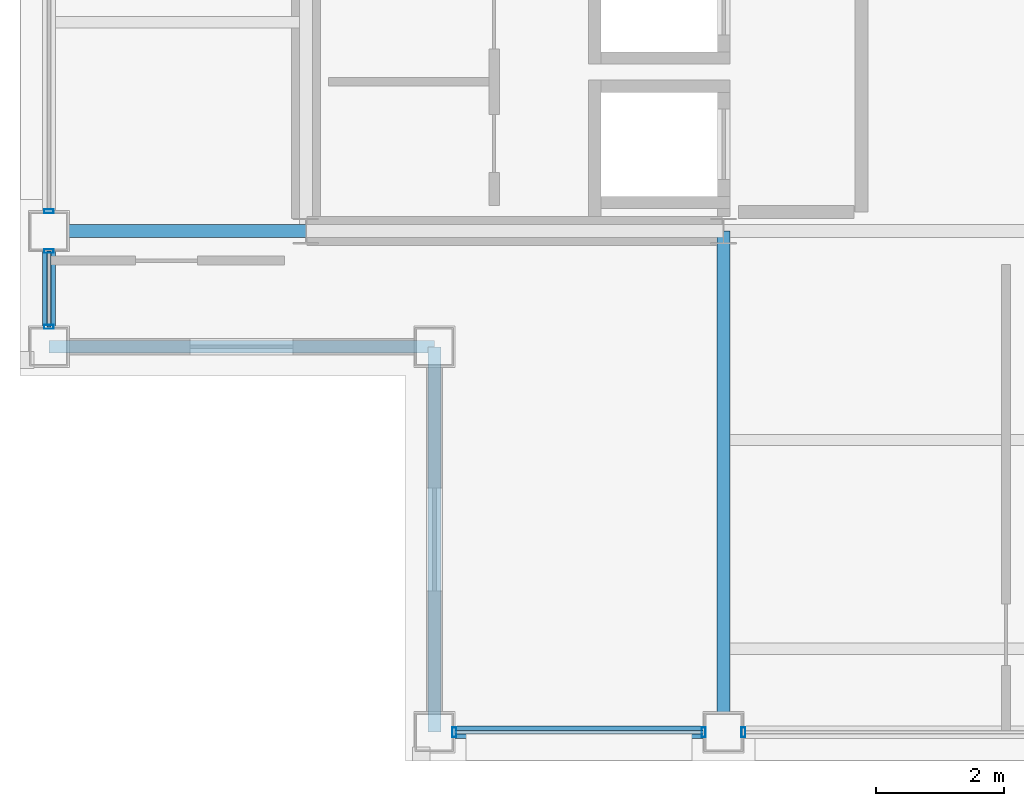
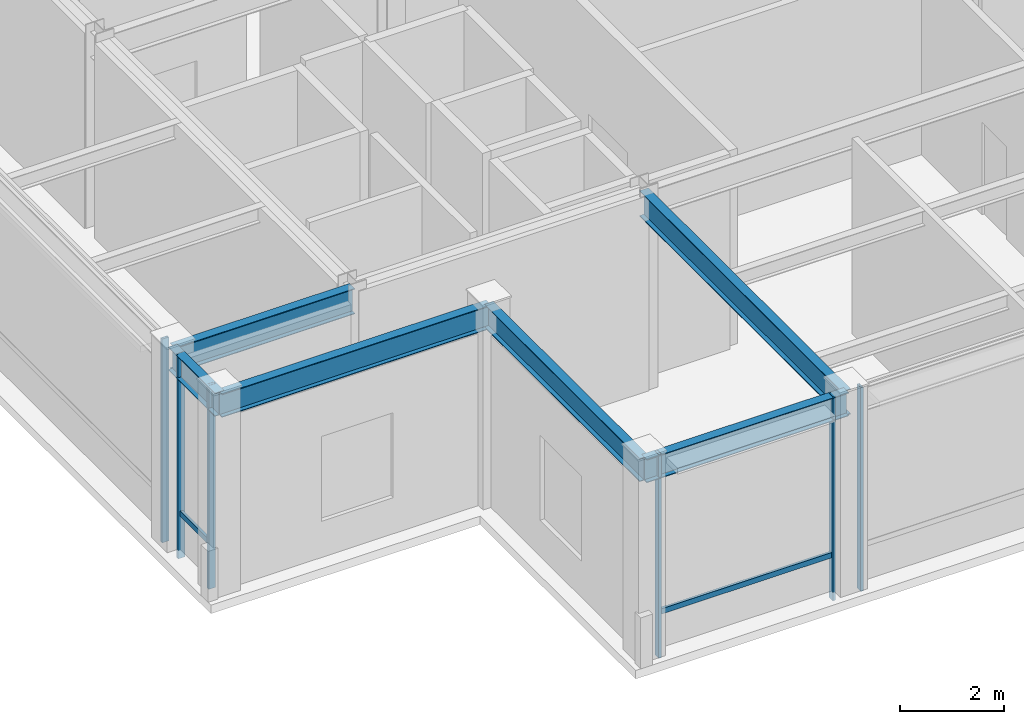
# One storey, part 2 of 21: 8 members, 6 beams, 4 elements without a shape of their own.
"""IFC4 building model written with IfcOpenShell, lengths in metres."""

import ifcopenshell
import ifcopenshell.guid

model = None  # the IFC model being written
_history = None  # IfcOwnerHistory: only IFC2X3 demands one
_inside = {}  # id of a spatial element -> (the spatial element, [elements in it])
_under = {}  # id of a project, library or spatial element -> (it, [spatial elements below it])
_declared = {}  # id of a project -> (the project, [libraries it declares])
_typed = {}  # id of a type object -> (the type object, [elements of that type])
_made_of = {}  # id of a material, layer set ... -> (it, [elements and type objects made of it])


def new_model(schema):
    """Start an empty IFC model of exactly this schema.

    Asked for "IFC4X3", IfcOpenShell would pick the latest addendum, in which some entities
    have other attributes; the version numbers below select the first issue.
    IFC2X3 requires an IfcOwnerHistory on every rooted entity: one is made here for all.
    """
    global model, _history
    if schema == "IFC4X3":
        model = ifcopenshell.file(schema_version=(4, 3, 0, 0))
    else:
        model = ifcopenshell.file(schema=schema)
    _inside.clear()
    _under.clear()
    _declared.clear()
    _typed.clear()
    _made_of.clear()
    _history = None
    if model.schema == "IFC2X3":
        org = make("IfcOrganization", Name="unknown")
        user = make(
            "IfcPersonAndOrganization",
            ThePerson=make("IfcPerson", FamilyName="unknown"),
            TheOrganization=org,
        )
        app = make(
            "IfcApplication",
            ApplicationDeveloper=org,
            Version="unknown",
            ApplicationFullName="unknown",
            ApplicationIdentifier="unknown",
        )
        _history = make(
            "IfcOwnerHistory",
            OwningUser=user,
            OwningApplication=app,
            ChangeAction="ADDED",
            CreationDate=0,
        )
    return model


def make(cls, **values):
    """One entity of the class cls with the attributes given. An attribute that is None is left unset."""
    return model.create_entity(
        cls, **{name: value for name, value in values.items() if value is not None}
    )


def rooted(cls, **values):
    """An entity with a GlobalId (a new one), such as an element, a storey or a relation."""
    return make(cls, GlobalId=ifcopenshell.guid.new(), OwnerHistory=_history, **values)


def si_unit(unit_type, name, prefix=None):
    """IfcSIUnit, for example si_unit("LENGTHUNIT", "METRE", prefix="MILLI")."""
    return make("IfcSIUnit", UnitType=unit_type, Prefix=prefix, Name=name)


def assignment(units):
    """IfcUnitAssignment: the units of a project."""
    return None if units is None else make("IfcUnitAssignment", Units=units)


def point(xyz):
    """IfcCartesianPoint."""
    return None if xyz is None else make("IfcCartesianPoint", Coordinates=xyz)


def direction(xyz):
    """IfcDirection."""
    return None if xyz is None else make("IfcDirection", DirectionRatios=xyz)


def frame(location, z_axis=None, x_axis=None):
    """IfcAxis2Placement3D, a coordinate frame: its origin and axes. An axis left out is left unset."""
    return make(
        "IfcAxis2Placement3D",
        Location=point(location),
        Axis=direction(z_axis),
        RefDirection=direction(x_axis),
    )


def frame_2d(location, x_axis=None):
    """IfcAxis2Placement2D, a coordinate frame in the plane: its origin and x axis."""
    return make(
        "IfcAxis2Placement2D", Location=point(location), RefDirection=direction(x_axis)
    )


def origin():
    """The frame at (0, 0, 0) with its axes left unset."""
    return frame((0.0, 0.0, 0.0))


def origin_2d():
    """The frame at (0, 0) in the plane with its x axis left unset."""
    return frame_2d((0.0, 0.0))


def place(relative_to, where):
    """IfcLocalPlacement: puts the frame where relative to a parent placement (None: the world)."""
    return make(
        "IfcLocalPlacement", PlacementRelTo=relative_to, RelativePlacement=where
    )


def context(
    kind, dimensions, precision=None, world=None, true_north=None, identifier=None
):
    """IfcGeometricRepresentationContext, for example the 3D "Model" context."""
    return make(
        "IfcGeometricRepresentationContext",
        ContextIdentifier=identifier,
        ContextType=kind,
        CoordinateSpaceDimension=dimensions,
        Precision=precision,
        WorldCoordinateSystem=world,
        TrueNorth=true_north,
    )


def subcontext(parent, identifier, kind, view, scale=None):
    """IfcGeometricRepresentationSubContext, for example "Body" below "Model"."""
    return make(
        "IfcGeometricRepresentationSubContext",
        ContextIdentifier=identifier,
        ContextType=kind,
        ParentContext=parent,
        TargetScale=scale,
        TargetView=view,
    )


def project(units=None, contexts=None):
    """IfcProject with its units and contexts."""
    return rooted(
        "IfcProject",
        Name="project",
        RepresentationContexts=contexts,
        UnitsInContext=assignment(units),
    )


def spatial(cls, under=None, at=None, **own):
    """A site, building, storey or space (cls), placed at a placement, below another one or the project."""
    s = rooted(cls, ObjectPlacement=at, **own)
    if under is not None:
        _under.setdefault(under.id(), (under, []))[1].append(s)
    return s


def profile(cls, at=None, kind="AREA", **sizes):
    """A parametric profile (cls). Its sizes go by their IFC names, for example OverallWidth=200.0."""
    return make(cls, ProfileType=kind, Position=at, **sizes)


def hollow_rectangle(**sizes):
    """IfcRectangleHollowProfileDef."""
    return profile("IfcRectangleHollowProfileDef", **sizes)


def i_section(**sizes):
    """IfcIShapeProfileDef."""
    return profile("IfcIShapeProfileDef", **sizes)


def extrude(swept, where, along, depth):
    """IfcExtrudedAreaSolid: the profile swept, set in the frame where, extruded along a direction by depth."""
    return make(
        "IfcExtrudedAreaSolid",
        SweptArea=swept,
        Position=where,
        ExtrudedDirection=direction(along),
        Depth=depth,
    )


def shape(context_of_items, identifier, shape_type, items):
    """IfcShapeRepresentation: the items that make up one representation, for example the "Body"."""
    return make(
        "IfcShapeRepresentation",
        ContextOfItems=context_of_items,
        RepresentationIdentifier=identifier,
        RepresentationType=shape_type,
        Items=items,
    )


def material(Name=None, Category=None):
    """IfcMaterial."""
    return make("IfcMaterial", Name=Name, Category=Category)


def layer(
    of_material, thickness, ventilated=None, Name=None, Category=None, Priority=None
):
    """IfcMaterialLayer: one layer of a wall or slab, of a material (None: an air gap)."""
    return make(
        "IfcMaterialLayer",
        Material=of_material,
        LayerThickness=thickness,
        IsVentilated=ventilated,
        Name=Name,
        Category=Category,
        Priority=Priority,
    )


def layer_set(layers, Name=None):
    """IfcMaterialLayerSet."""
    return make("IfcMaterialLayerSet", MaterialLayers=layers, LayerSetName=Name)


def material_profile(
    of_material, cross_section, Name=None, Category=None, Priority=None
):
    """IfcMaterialProfile: a cross section and its material."""
    return make(
        "IfcMaterialProfile",
        Name=Name,
        Material=of_material,
        Profile=cross_section,
        Priority=Priority,
        Category=Category,
    )


def profile_set(profiles, Name=None, composite=None):
    """IfcMaterialProfileSet."""
    return make(
        "IfcMaterialProfileSet",
        Name=Name,
        MaterialProfiles=profiles,
        CompositeProfile=composite,
    )


def made_of(thing, what):
    """Note that an element or type object is made of a material, layer set ...; save() writes the relation."""
    if what is not None:
        _made_of.setdefault(what.id(), (what, []))[1].append(thing)
    return thing


def type_object(cls, material=None, **own):
    """A type object (cls), such as IfcWallType, which elements share."""
    return made_of(rooted(cls, **own), material)


def element(
    cls,
    number,
    at=None,
    inside=None,
    cuts=None,
    type_object=None,
    material=None,
    context=None,
    identifier="Body",
    shape_type=None,
    held_by="IfcProductDefinitionShape",
    body=None,
    shapes=None,
    **own,
):
    """One element of the class cls, such as IfcWall. Its Tag is "e" and its number.

    at: its placement. inside: the storey or other place that contains it. cuts: it is an
    opening in that element (IfcRelVoidsElement). A single representation is given by context,
    identifier, shape_type and body (its items); several are given by shapes. held_by: the class
    of the entity that holds the representations. save() writes the other relations.
    """
    e = rooted(cls, Tag="e%d" % number, ObjectPlacement=at, **own)
    if body is not None:
        shapes = [shape(context, identifier, shape_type, body)]
    if shapes is not None:
        e.Representation = make(held_by, Representations=shapes)
    if inside is not None:
        _inside.setdefault(inside.id(), (inside, []))[1].append(e)
    if cuts is not None:
        rooted(
            "IfcRelVoidsElement", RelatingBuildingElement=cuts, RelatedOpeningElement=e
        )
    if type_object is not None:
        _typed.setdefault(type_object.id(), (type_object, []))[1].append(e)
    return made_of(e, material)


def aggregate(whole, parts):
    """IfcRelAggregates: a whole, such as a stair, and the parts it consists of."""
    return rooted("IfcRelAggregates", RelatingObject=whole, RelatedObjects=parts)


def save(model, path):
    """Write the relations noted so far, then the file.

    IfcRelAggregates (storeys below a building ...), IfcRelContainedInSpatialStructure (elements
    in a storey), IfcRelDefinesByType, IfcRelAssociatesMaterial and IfcRelDeclares: one each for
    every whole, place, type object, material and project.
    """
    for whole, parts in _under.values():
        aggregate(whole, parts)
    for where, things in _inside.values():
        rooted(
            "IfcRelContainedInSpatialStructure",
            RelatedElements=things,
            RelatingStructure=where,
        )
    for kind, things in _typed.values():
        rooted("IfcRelDefinesByType", RelatedObjects=things, RelatingType=kind)
    for what, things in _made_of.values():
        rooted("IfcRelAssociatesMaterial", RelatedObjects=things, RelatingMaterial=what)
    for by, libraries in _declared.values():
        rooted("IfcRelDeclares", RelatingContext=by, RelatedDefinitions=libraries)
    model.write(path)


model = new_model("IFC4")

# Units and contexts
model_context = context("Model", 3, precision=1e-05, world=origin(), true_north=direction((0.0, 1.0)))
body_context = subcontext(model_context, "Body", "Model", "MODEL_VIEW")
ifc_project = project(units=[si_unit("LENGTHUNIT", "METRE"), si_unit("AREAUNIT", "SQUARE_METRE"), si_unit("VOLUMEUNIT", "CUBIC_METRE"), si_unit("PLANEANGLEUNIT", "RADIAN"), si_unit("MASSUNIT", "GRAM", prefix="KILO")], contexts=[model_context])

# Site, building, storey
site_placement = place(None, origin())
site = spatial("IfcSite", under=ifc_project, at=site_placement, CompositionType="ELEMENT")
building_placement = place(site_placement, origin())
building = spatial("IfcBuilding", under=site, at=building_placement, Name="Brelmoor Portico Tower", CompositionType="ELEMENT")
storey_placement = place(building_placement, frame((0.0, 0.0, 284.39990234375)))
storey = spatial("IfcBuildingStorey", under=building, at=storey_placement, Name="L75", CompositionType="ELEMENT", Elevation=284.39990234375)

# Beams
ifc_material_1 = material(Name="Steel Q355B", Category="steel")
ifc_material_profile_1 = material_profile(ifc_material_1, i_section(OverallWidth=0.199951171875, OverallDepth=0.60009765625, WebThickness=0.010986328125, FlangeThickness=0.01708984375, at=origin_2d()), Name="HN 600x200x11x17")
ifc_profile_set_1 = profile_set([ifc_material_profile_1], Name="Steel Q355B")
beam_type_1 = type_object("IfcBeamType", Name="BM-PG-600", PredefinedType="BEAM", material=ifc_profile_set_1)
beam_1_placement = place(storey_placement, frame((-8.050048828125, -17.550048828125, 4.300048828125), z_axis=(0.0, 1.0, 0.0), x_axis=(-1.0, 0.0, 0.0)))
element("IfcBeam", 1, at=beam_1_placement, inside=storey, type_object=beam_type_1, Name="L75 Primary Floor Girder PG-03", PredefinedType="BEAM", context=body_context, shape_type="SweptSolid", body=[
    extrude(i_section(OverallWidth=0.199951171875, OverallDepth=0.60009765625, WebThickness=0.010986328125, FlangeThickness=0.01708984375, at=origin_2d()), origin(), (0.0, 0.0, 1.0), 7.800048828125),
])
beam_2_placement = place(storey_placement, frame((-18.550048828125, -9.75, 4.300048828125), z_axis=(1.0, 0.0, 0.0), x_axis=(0.0, 1.0, 0.0)))
element("IfcBeam", 2, at=beam_2_placement, inside=storey, type_object=beam_type_1, Name="L75 Primary Floor Girder PG-11", PredefinedType="BEAM", context=body_context, shape_type="SweptSolid", body=[
    extrude(i_section(OverallWidth=0.199951171875, OverallDepth=0.60009765625, WebThickness=0.010986328125, FlangeThickness=0.01708984375, at=origin_2d()), origin(), (0.0, 0.0, 1.0), 4.0),
])
ifc_material_profile_2 = material_profile(ifc_material_1, i_section(OverallWidth=0.199951171875, OverallDepth=0.550048828125, WebThickness=0.010009765625, FlangeThickness=0.01611328125, at=origin_2d()), Name="HN 550x200x10x16")
ifc_profile_set_2 = profile_set([ifc_material_profile_2], Name="Steel Q355B")
beam_type_2 = type_object("IfcBeamType", Name="BM-SP-550", PredefinedType="SPANDREL", material=ifc_profile_set_2)
beam_3_placement = place(storey_placement, frame((-12.550048828125, -17.550048828125, 4.3251953125), z_axis=(1.0, 0.0, 0.0), x_axis=(0.0, 1.0, 0.0)))
element("IfcBeam", 3, at=beam_3_placement, inside=storey, type_object=beam_type_2, Name="L75 Perimeter Spandrel Beam SP-01", PredefinedType="SPANDREL", context=body_context, shape_type="SweptSolid", body=[
    extrude(i_section(OverallWidth=0.199951171875, OverallDepth=0.550048828125, WebThickness=0.010009765625, FlangeThickness=0.01611328125, at=origin_2d()), origin(), (0.0, 0.0, 1.0), 4.5),
])
beam_4_placement = place(storey_placement, frame((-18.550048828125, -11.550048828125, 4.3251953125), z_axis=(1.0, 0.0, 0.0), x_axis=(0.0, 1.0, 0.0)))
element("IfcBeam", 4, at=beam_4_placement, inside=storey, type_object=beam_type_2, Name="L75 Perimeter Spandrel Beam SP-04", PredefinedType="SPANDREL", context=body_context, shape_type="SweptSolid", body=[
    extrude(i_section(OverallWidth=0.199951171875, OverallDepth=0.550048828125, WebThickness=0.010009765625, FlangeThickness=0.01611328125, at=origin_2d()), origin(), (0.0, 0.0, 1.0), 6.0),
])
beam_5_placement = place(storey_placement, frame((-18.550048828125, -11.550048828125, 4.3251953125), z_axis=(0.0, 1.0, 0.0), x_axis=(-1.0, 0.0, 0.0)))
element("IfcBeam", 5, at=beam_5_placement, inside=storey, type_object=beam_type_2, Name="L75 Perimeter Spandrel Beam SP-11", PredefinedType="SPANDREL", context=body_context, shape_type="SweptSolid", body=[
    extrude(i_section(OverallWidth=0.199951171875, OverallDepth=0.550048828125, WebThickness=0.010009765625, FlangeThickness=0.01611328125, at=origin_2d()), origin(), (0.0, 0.0, 1.0), 1.800048828125),
])
beam_6_placement = place(storey_placement, frame((-12.550048828125, -17.550048828125, 4.3251953125), z_axis=(0.0, 1.0, 0.0), x_axis=(-1.0, 0.0, 0.0)))
element("IfcBeam", 6, at=beam_6_placement, inside=storey, type_object=beam_type_2, Name="L75 Perimeter Spandrel Beam SP-14", PredefinedType="SPANDREL", context=body_context, shape_type="SweptSolid", body=[
    extrude(i_section(OverallWidth=0.199951171875, OverallDepth=0.550048828125, WebThickness=0.010009765625, FlangeThickness=0.01611328125, at=origin_2d()), origin(), (0.0, 0.0, 1.0), 6.0),
])

# Curtain wall, members
ifc_material_2 = material(Name="Anodised Aluminium Alloy 6063-T6", Category="aluminium")
ifc_layer = layer(ifc_material_2, 0.179931640625)
ifc_layer_set = layer_set([ifc_layer], Name="Anodised Aluminium Alloy 6063-T6")
curtain_wall_type = type_object("IfcCurtainWallType", Name="CW-TOWER-Z4", PredefinedType="NOTDEFINED", material=ifc_layer_set)
curtain_wall_1_placement = place(storey_placement, origin())
curtain_wall_1 = element("IfcCurtainWall", 7, at=curtain_wall_1_placement, inside=storey, type_object=curtain_wall_type, Name="L75 Curtain Wall CW-L75-01-1", PredefinedType="NOTDEFINED")
ifc_material_profile_3 = material_profile(ifc_material_2, hollow_rectangle(XDim=0.06005859375, YDim=0.14990234375, WallThickness=0.00390625, at=origin_2d()), Name="ALU MULLION 60x150")
ifc_profile_set_3 = profile_set([ifc_material_profile_3], Name="Anodised Aluminium Alloy 6063-T6")
member_type_1 = type_object("IfcMemberType", Name="MB-CW-MULL-150", PredefinedType="MULLION", material=ifc_profile_set_3)
member_1_placement = place(storey_placement, frame((-12.239990234375, -17.550048828125, -0.199951171875), z_axis=(0.0, 0.0, 1.0), x_axis=(1.0, 0.0, 0.0)))
member_1 = element("IfcMember", 8, at=member_1_placement, type_object=member_type_1, Name="CW-L75-01-1 Mullion 00", PredefinedType="MULLION", context=body_context, shape_type="SweptSolid", body=[
    extrude(hollow_rectangle(XDim=0.06005859375, YDim=0.14990234375, WallThickness=0.00390625, at=origin_2d()), origin(), (0.0, 0.0, 1.0), 4.800048828125),
])
member_2_placement = place(storey_placement, frame((-8.360107421875, -17.550048828125, -0.199951171875), z_axis=(0.0, 0.0, 1.0), x_axis=(1.0, 0.0, 0.0)))
member_2 = element("IfcMember", 9, at=member_2_placement, type_object=member_type_1, Name="CW-L75-01-1 Mullion 01", PredefinedType="MULLION", context=body_context, shape_type="SweptSolid", body=[
    extrude(hollow_rectangle(XDim=0.06005859375, YDim=0.14990234375, WallThickness=0.00390625, at=origin_2d()), origin(), (0.0, 0.0, 1.0), 4.800048828125),
])

# Curtain wall, member
curtain_wall_2_placement = place(storey_placement, origin())
curtain_wall_2 = element("IfcCurtainWall", 10, at=curtain_wall_2_placement, inside=storey, type_object=curtain_wall_type, Name="L75 Curtain Wall CW-L75-01-2", PredefinedType="NOTDEFINED")
member_3_placement = place(storey_placement, frame((-7.739990234375, -17.550048828125, -0.199951171875), z_axis=(0.0, 0.0, 1.0), x_axis=(1.0, 0.0, 0.0)))
member_3 = element("IfcMember", 11, at=member_3_placement, type_object=member_type_1, Name="CW-L75-01-2 Mullion 00", PredefinedType="MULLION", context=body_context, shape_type="SweptSolid", body=[
    extrude(hollow_rectangle(XDim=0.06005859375, YDim=0.14990234375, WallThickness=0.00390625, at=origin_2d()), origin(), (0.0, 0.0, 1.0), 4.800048828125),
])
aggregate(curtain_wall_2, [member_3])

# Curtain wall, members
curtain_wall_3_placement = place(storey_placement, origin())
curtain_wall_3 = element("IfcCurtainWall", 12, at=curtain_wall_3_placement, inside=storey, type_object=curtain_wall_type, Name="L75 Curtain Wall CW-L75-03-1", PredefinedType="NOTDEFINED")
member_4_placement = place(storey_placement, frame((-18.550048828125, -11.239990234375, -0.199951171875), z_axis=(0.0, 0.0, 1.0), x_axis=(0.0, 1.0, 0.0)))
member_4 = element("IfcMember", 13, at=member_4_placement, type_object=member_type_1, Name="CW-L75-03-1 Mullion 00", PredefinedType="MULLION", context=body_context, shape_type="SweptSolid", body=[
    extrude(hollow_rectangle(XDim=0.06005859375, YDim=0.14990234375, WallThickness=0.00390625, at=origin_2d()), origin(), (0.0, 0.0, 1.0), 4.800048828125),
])
member_5_placement = place(storey_placement, frame((-18.550048828125, -10.06005859375, -0.199951171875), z_axis=(0.0, 0.0, 1.0), x_axis=(0.0, 1.0, 0.0)))
member_5 = element("IfcMember", 14, at=member_5_placement, type_object=member_type_1, Name="CW-L75-03-1 Mullion 01", PredefinedType="MULLION", context=body_context, shape_type="SweptSolid", body=[
    extrude(hollow_rectangle(XDim=0.06005859375, YDim=0.14990234375, WallThickness=0.00390625, at=origin_2d()), origin(), (0.0, 0.0, 1.0), 4.800048828125),
])

# Curtain wall, member
curtain_wall_4_placement = place(storey_placement, origin())
curtain_wall_4 = element("IfcCurtainWall", 15, at=curtain_wall_4_placement, inside=storey, type_object=curtain_wall_type, Name="L75 Curtain Wall CW-L75-03-2", PredefinedType="NOTDEFINED")
member_6_placement = place(storey_placement, frame((-18.550048828125, -9.43994140625, -0.199951171875), z_axis=(0.0, 0.0, 1.0), x_axis=(0.0, 1.0, 0.0)))
member_6 = element("IfcMember", 16, at=member_6_placement, type_object=member_type_1, Name="CW-L75-03-2 Mullion 00", PredefinedType="MULLION", context=body_context, shape_type="SweptSolid", body=[
    extrude(hollow_rectangle(XDim=0.06005859375, YDim=0.14990234375, WallThickness=0.00390625, at=origin_2d()), origin(), (0.0, 0.0, 1.0), 4.800048828125),
])
aggregate(curtain_wall_4, [member_6])

# Member
ifc_material_profile_4 = material_profile(ifc_material_2, hollow_rectangle(XDim=0.06005859375, YDim=0.125, WallThickness=0.00341796875, at=origin_2d()), Name="ALU TRANSOM 60x125")
ifc_profile_set_4 = profile_set([ifc_material_profile_4], Name="Anodised Aluminium Alloy 6063-T6")
member_type_2 = type_object("IfcMemberType", Name="MB-CW-TRAN-125", PredefinedType="USERDEFINED", material=ifc_profile_set_4)
member_7_placement = place(storey_placement, frame((-12.239990234375, -17.550048828125, 0.85009765625), z_axis=(1.0, 0.0, 0.0), x_axis=(0.0, 1.0, 0.0)))
member_7 = element("IfcMember", 17, at=member_7_placement, type_object=member_type_2, Name="CW-L75-01-1 Transom 1-00", ObjectType="TRANSOM", PredefinedType="USERDEFINED", context=body_context, shape_type="SweptSolid", body=[
    extrude(hollow_rectangle(XDim=0.06005859375, YDim=0.125, WallThickness=0.00341796875, at=origin_2d()), origin(), (0.0, 0.0, 1.0), 3.8798828125),
])

aggregate(curtain_wall_1, [member_1, member_2, member_7])

member_8_placement = place(storey_placement, frame((-18.550048828125, -11.239990234375, 0.85009765625), z_axis=(0.0, 1.0, 0.0), x_axis=(-1.0, 0.0, 0.0)))
member_8 = element("IfcMember", 18, at=member_8_placement, type_object=member_type_2, Name="CW-L75-03-1 Transom 1-00", ObjectType="TRANSOM", PredefinedType="USERDEFINED", context=body_context, shape_type="SweptSolid", body=[
    extrude(hollow_rectangle(XDim=0.06005859375, YDim=0.125, WallThickness=0.00341796875, at=origin_2d()), origin(), (0.0, 0.0, 1.0), 1.179931640625),
])

aggregate(curtain_wall_3, [member_4, member_5, member_8])

save(model, "model.ifc")
